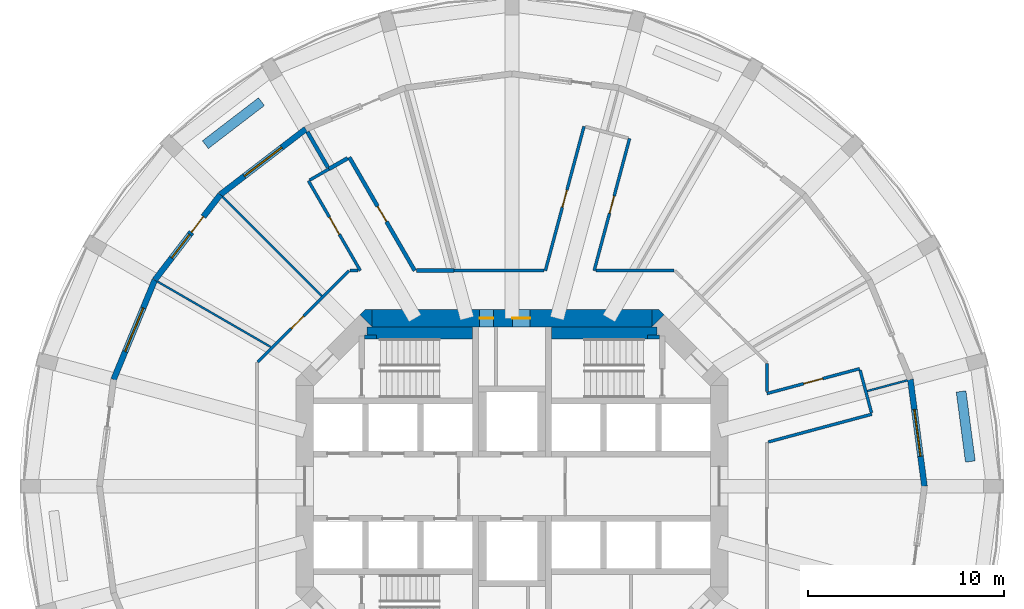
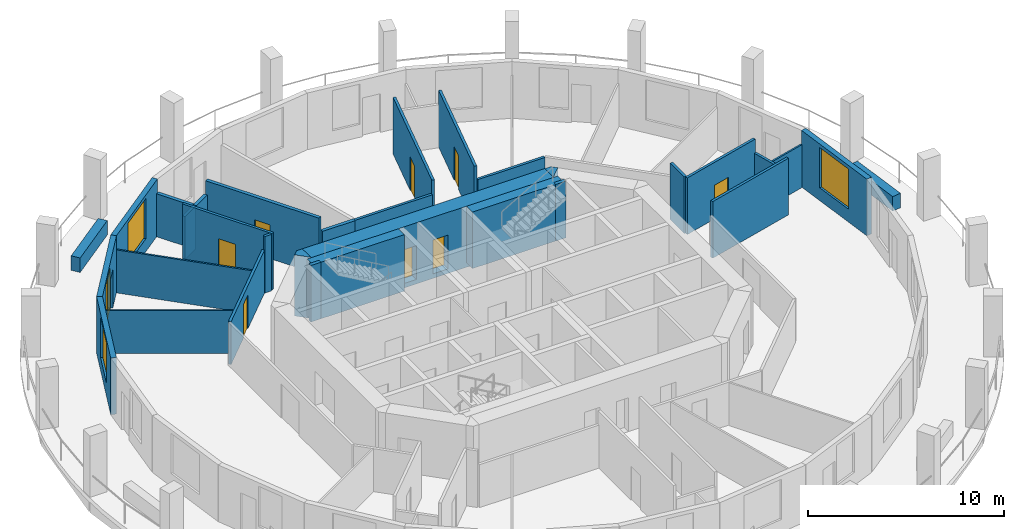
# One storey, part 5 of 8: 32 walls, 9 doors, 4 windows, 13 openings.
"""IFC4 building model written with IfcOpenShell, lengths in metres."""

from ifc_helpers import new_model, si_unit, direction, frame, frame_2d, origin, place, context, subcontext, project, spatial, polyline, rectangle, outline, extrude, material, layer, layer_set, type_object, element, fill, save


model = new_model("IFC4")

# Units and contexts
model_context = context("Model", 3, precision=1e-05, world=origin(), true_north=direction((0.0, 1.0)))
body_context = subcontext(model_context, "Body", "Model", "MODEL_VIEW")
ifc_project = project(units=[si_unit("LENGTHUNIT", "METRE"), si_unit("AREAUNIT", "SQUARE_METRE"), si_unit("VOLUMEUNIT", "CUBIC_METRE"), si_unit("PLANEANGLEUNIT", "RADIAN"), si_unit("MASSUNIT", "GRAM", prefix="KILO")], contexts=[model_context])

# Site, building, storey
site_placement = place(None, origin())
site = spatial("IfcSite", under=ifc_project, at=site_placement, CompositionType="ELEMENT")
building_placement = place(site_placement, origin())
building = spatial("IfcBuilding", under=site, at=building_placement, Name="Torre Triforio", CompositionType="ELEMENT")
storey_placement = place(building_placement, frame((0.0, 0.0, 131.39990234375)))
storey = spatial("IfcBuildingStorey", under=building, at=storey_placement, Name="L29", CompositionType="ELEMENT", Elevation=131.39990234375)

# Wall, openings, doors
ifc_material_1 = material(Name="Concrete C60", Category="concrete")
ifc_layer_1 = layer(ifc_material_1, 0.89990234375)
ifc_layer_set_1 = layer_set([ifc_layer_1], Name="Concrete C60")
wall_type_1 = type_object("IfcWallType", Name="Core wall 900 mm C60 EI 120", PredefinedType="SHEAR", material=ifc_layer_set_1)
wall_1_placement = place(storey_placement, frame((-7.1298828125, 8.550048828125, -0.27978515625), z_axis=(0.0, 0.0, 1.0), x_axis=(1.0, 0.0, 0.0)))
wall_1 = element("IfcWall", 1, at=wall_1_placement, inside=storey, type_object=wall_type_1, Name="Core wall", PredefinedType="SHEAR", context=body_context, shape_type="SweptSolid", body=[
    extrude(rectangle(XDim=14.259765625, YDim=0.89990234375, at=frame_2d((7.1298828125, 0.0))), origin(), (0.0, 0.0, 1.0), 3.7998046875),
])
opening_1_placement = place(wall_1_placement, frame((5.47998046875, 0.0, 0.280029296875)))
opening_1 = element("IfcOpeningElement", 2, at=opening_1_placement, cuts=wall_1, Name="Opening RISER-N", PredefinedType="OPENING", context=body_context, shape_type="SweptSolid", body=[
    extrude(rectangle(XDim=0.699951171875, YDim=2.10009765625, at=frame_2d((0.35009765625, 1.050048828125))), frame((0.0, 0.4599609375, 0.0), z_axis=(0.0, -1.0, 0.0), x_axis=(1.0, 0.0, 0.0)), (0.0, 0.0, 1.0), 0.919921875),
])
opening_2_placement = place(wall_1_placement, frame((7.155029296875, 0.0, 0.280029296875)))
opening_2 = element("IfcOpeningElement", 3, at=opening_2_placement, cuts=wall_1, Name="Opening NE-01", PredefinedType="OPENING", context=body_context, shape_type="SweptSolid", body=[
    extrude(rectangle(XDim=0.89990234375, YDim=2.10009765625, at=frame_2d((0.449951171875, 1.050048828125))), frame((0.0, 0.4599609375, 0.0), z_axis=(0.0, -1.0, 0.0), x_axis=(1.0, 0.0, 0.0)), (0.0, 0.0, 1.0), 0.919921875),
])
ifc_material_2 = material(Name="Hollow metal fire door leaf")
door_type_1 = type_object("IfcDoorType", Name="Riser door 700 x 2100 EI 60", OperationType="NOTDEFINED", PredefinedType="DOOR", material=ifc_material_2)
door_1_placement = place(opening_1_placement, origin())
door_1 = element("IfcDoor", 4, at=door_1_placement, inside=storey, type_object=door_type_1, Name="Core door RISER-N", OperationType="SINGLE_SWING_RIGHT", OverallHeight=2.10009765625, OverallWidth=0.699951171875, PredefinedType="DOOR", context=body_context, shape_type="SweptSolid", body=[
    extrude(rectangle(XDim=0.699951171875, YDim=2.10009765625, at=frame_2d((0.35009765625, 1.050048828125))), frame((0.0, 0.02490234375, 0.0), z_axis=(0.0, -1.0, 0.0), x_axis=(1.0, 0.0, 0.0)), (0.0, 0.0, 1.0), 0.050048828125),
])
fill(opening_1, door_1)
door_type_2 = type_object("IfcDoorType", Name="Room door 900 x 2100 EI 60", OperationType="NOTDEFINED", PredefinedType="DOOR", material=ifc_material_2)
door_2_placement = place(opening_2_placement, origin())
door_2 = element("IfcDoor", 5, at=door_2_placement, inside=storey, type_object=door_type_2, Name="Core door NE-01", OperationType="SINGLE_SWING_RIGHT", OverallHeight=2.10009765625, OverallWidth=0.89990234375, PredefinedType="DOOR", context=body_context, shape_type="SweptSolid", body=[
    extrude(rectangle(XDim=0.89990234375, YDim=2.10009765625, at=frame_2d((0.449951171875, 1.050048828125))), frame((0.0, 0.02490234375, 0.0), z_axis=(0.0, -1.0, 0.0), x_axis=(1.0, 0.0, 0.0)), (0.0, 0.0, 1.0), 0.050048828125),
])
fill(opening_2, door_2)

# Walls
wall_2_placement = place(storey_placement, frame((0.0, 0.0, -0.27978515625)))
element("IfcWall", 6, at=wall_2_placement, inside=storey, type_object=wall_type_1, Name="Core wall", PredefinedType="SHEAR", context=body_context, shape_type="SweptSolid", body=[
    extrude(outline(polyline([(-7.472900390625, 9.0), (-7.1298828125, 9.0), (-7.1298828125, 8.1298828125), (-7.736328125, 8.736328125), (-7.472900390625, 9.0)])), origin(), (0.0, 0.0, 1.0), 3.7998046875),
])
wall_3_placement = place(storey_placement, frame((0.0, 0.0, -0.27978515625)))
element("IfcWall", 7, at=wall_3_placement, inside=storey, type_object=wall_type_1, Name="Core wall", PredefinedType="SHEAR", context=body_context, shape_type="SweptSolid", body=[
    extrude(outline(polyline([(7.472900390625, 9.0), (7.736328125, 8.736328125), (7.1298828125, 8.1298828125), (7.1298828125, 9.0), (7.472900390625, 9.0)])), origin(), (0.0, 0.0, 1.0), 3.7998046875),
])

# Wall, opening, door
ifc_material_3 = material(Name="Plasterboard on metal studs")
ifc_layer_2 = layer(ifc_material_3, 0.14990234375)
ifc_layer_set_2 = layer_set([ifc_layer_2], Name="Plasterboard on metal studs")
wall_type_2 = type_object("IfcWallType", Name="Corridor and tenancy wall 150 mm EI 60", PredefinedType="PARTITIONING", material=ifc_layer_set_2)
wall_4_placement = place(storey_placement, frame((-12.93798828125, 6.327880859375, 0.0), z_axis=(0.0, 0.0, 1.0), x_axis=(0.707088206597, 0.707125355289, 0.0)))
wall_4 = element("IfcWall", 8, at=wall_4_placement, inside=storey, type_object=wall_type_2, Name="Partition 5", PredefinedType="PARTITIONING", context=body_context, shape_type="SweptSolid", body=[
    extrude(rectangle(XDim=6.572021484375, YDim=0.14990234375, at=frame_2d((3.2861328125, 0.0))), origin(), (0.0, 0.0, 1.0), 2.670166015625),
])
opening_3_placement = place(wall_4_placement, frame((2.39794921875, 0.0, 0.0)))
opening_3 = element("IfcOpeningElement", 9, at=opening_3_placement, cuts=wall_4, Name="Opening D2-15", PredefinedType="OPENING", context=body_context, shape_type="SweptSolid", body=[
    extrude(rectangle(XDim=0.89990234375, YDim=2.10009765625, at=frame_2d((0.449951171875, 1.050048828125))), frame((0.0, 0.0849609375, 0.0), z_axis=(0.0, -1.0, 0.0), x_axis=(1.0, 0.0, 0.0)), (0.0, 0.0, 1.0), 0.169921875),
])
ifc_material_4 = material(Name="Timber", Category="wood")
door_type_3 = type_object("IfcDoorType", Name="Door 900 x 2100 single leaf EI 30", OperationType="NOTDEFINED", PredefinedType="DOOR", material=ifc_material_4)
door_3_placement = place(opening_3_placement, origin())
door_3 = element("IfcDoor", 10, at=door_3_placement, inside=storey, type_object=door_type_3, Name="Door D2-15", OperationType="SINGLE_SWING_LEFT", OverallHeight=2.10009765625, OverallWidth=0.89990234375, PredefinedType="DOOR", context=body_context, shape_type="SweptSolid", body=[
    extrude(rectangle(XDim=0.89990234375, YDim=2.10009765625, at=frame_2d((0.449951171875, 1.050048828125))), frame((0.0, 0.02490234375, 0.0), z_axis=(0.0, -1.0, 0.0), x_axis=(1.0, 0.0, 0.0)), (0.0, 0.0, 1.0), 0.050048828125),
])
fill(opening_3, door_3)

# Wall
wall_5_placement = place(storey_placement, frame((-8.23828125, 10.97509765625, 0.0), z_axis=(0.0, 0.0, 1.0), x_axis=(1.0, 0.0, 0.0)))
element("IfcWall", 11, at=wall_5_placement, inside=storey, type_object=wall_type_2, Name="Partition 6", PredefinedType="PARTITIONING", context=body_context, shape_type="SweptSolid", body=[
    extrude(rectangle(XDim=0.38623046875, YDim=0.14990234375, at=frame_2d((0.193115234375, 0.0))), origin(), (0.0, 0.0, 1.0), 3.52001953125),
])

# Wall, opening, door
wall_6_placement = place(storey_placement, frame((-7.72216796875, 10.97509765625, 0.0), z_axis=(0.0, 0.0, 1.0), x_axis=(-0.499981143329, 0.866036290415, 0.0)))
wall_6 = element("IfcWall", 12, at=wall_6_placement, inside=storey, type_object=wall_type_2, Name="Partition 7", PredefinedType="PARTITIONING", context=body_context, shape_type="SweptSolid", body=[
    extrude(rectangle(XDim=5.282958984375, YDim=0.14990234375, at=frame_2d((2.6416015625, 0.0))), origin(), (0.0, 0.0, 1.0), 3.52001953125),
])
opening_4_placement = place(wall_6_placement, frame((2.1416015625, 0.0, 0.0)))
opening_4 = element("IfcOpeningElement", 13, at=opening_4_placement, cuts=wall_6, Name="Opening D2-14", PredefinedType="OPENING", context=body_context, shape_type="SweptSolid", body=[
    extrude(rectangle(XDim=1.0, YDim=2.10009765625, at=frame_2d((0.5, 1.050048828125))), frame((0.0, 0.0849609375, 0.0), z_axis=(0.0, -1.0, 0.0), x_axis=(1.0, 0.0, 0.0)), (0.0, 0.0, 1.0), 0.169921875),
])
door_type_4 = type_object("IfcDoorType", Name="Door 1000 x 2100 single leaf EI 30", OperationType="NOTDEFINED", PredefinedType="DOOR", material=ifc_material_4)
door_4_placement = place(opening_4_placement, origin())
door_4 = element("IfcDoor", 14, at=door_4_placement, inside=storey, type_object=door_type_4, Name="Door D2-14", OperationType="SINGLE_SWING_LEFT", OverallHeight=2.10009765625, OverallWidth=1.0, PredefinedType="DOOR", context=body_context, shape_type="SweptSolid", body=[
    extrude(rectangle(XDim=1.0, YDim=2.10009765625, at=frame_2d((0.5, 1.050048828125))), frame((0.0, 0.02490234375, 0.0), z_axis=(0.0, -1.0, 0.0), x_axis=(1.0, 0.0, 0.0)), (0.0, 0.0, 1.0), 0.050048828125),
])
fill(opening_4, door_4)

# Walls
wall_7_placement = place(storey_placement, frame((-10.298583984375, 15.587890625, 0.0), z_axis=(0.0, 0.0, 1.0), x_axis=(0.86599040064, 0.500060622324, 0.0)))
element("IfcWall", 15, at=wall_7_placement, inside=storey, type_object=wall_type_2, Name="Partition 8", PredefinedType="PARTITIONING", context=body_context, shape_type="SweptSolid", body=[
    extrude(rectangle(XDim=1.124755859375, YDim=0.14990234375, at=frame_2d((0.5625, 0.0))), origin(), (0.0, 0.0, 1.0), 2.670166015625),
])
wall_8_placement = place(storey_placement, frame((-2.940673828125, 10.97509765625, 0.0), z_axis=(0.0, 0.0, 1.0), x_axis=(1.0, 0.0, 0.0)))
element("IfcWall", 16, at=wall_8_placement, inside=storey, type_object=wall_type_2, Name="Partition 12", PredefinedType="PARTITIONING", context=body_context, shape_type="SweptSolid", body=[
    extrude(rectangle(XDim=4.566650390625, YDim=0.14990234375, at=frame_2d((2.283203125, 0.0))), origin(), (0.0, 0.0, 1.0), 2.670166015625),
])

# Wall, opening, door
wall_9_placement = place(storey_placement, frame((1.698486328125, 10.97509765625, 0.0), z_axis=(0.0, 0.0, 1.0), x_axis=(0.258810940308, 0.965927997926, 0.0)))
wall_9 = element("IfcWall", 17, at=wall_9_placement, inside=storey, type_object=wall_type_2, Name="Partition 13", PredefinedType="PARTITIONING", context=body_context, shape_type="SweptSolid", body=[
    extrude(rectangle(XDim=7.60791015625, YDim=0.14990234375, at=frame_2d((3.803955078125, 0.0))), origin(), (0.0, 0.0, 1.0), 3.52001953125),
])
opening_5_placement = place(wall_9_placement, frame((3.35400390625, 0.0, 0.0)))
opening_5 = element("IfcOpeningElement", 18, at=opening_5_placement, cuts=wall_9, Name="Opening D2-12", PredefinedType="OPENING", context=body_context, shape_type="SweptSolid", body=[
    extrude(rectangle(XDim=0.89990234375, YDim=2.10009765625, at=frame_2d((0.449951171875, 1.050048828125))), frame((0.0, 0.0849609375, 0.0), z_axis=(0.0, -1.0, 0.0), x_axis=(1.0, 0.0, 0.0)), (0.0, 0.0, 1.0), 0.169921875),
])
door_5_placement = place(opening_5_placement, origin())
door_5 = element("IfcDoor", 19, at=door_5_placement, inside=storey, type_object=door_type_3, Name="Door D2-12", OperationType="SINGLE_SWING_LEFT", OverallHeight=2.10009765625, OverallWidth=0.89990234375, PredefinedType="DOOR", context=body_context, shape_type="SweptSolid", body=[
    extrude(rectangle(XDim=0.89990234375, YDim=2.10009765625, at=frame_2d((0.449951171875, 1.050048828125))), frame((0.0, 0.02490234375, 0.0), z_axis=(0.0, -1.0, 0.0), x_axis=(1.0, 0.0, 0.0)), (0.0, 0.0, 1.0), 0.050048828125),
])
fill(opening_5, door_5)

wall_10_placement = place(storey_placement, frame((5.98583984375, 17.70263671875, 0.0), z_axis=(0.0, 0.0, 1.0), x_axis=(-0.258831867169, -0.965922390535, 0.0)))
wall_10 = element("IfcWall", 20, at=wall_10_placement, inside=storey, type_object=wall_type_2, Name="Partition 15", PredefinedType="PARTITIONING", context=body_context, shape_type="SweptSolid", body=[
    extrude(rectangle(XDim=6.96484375, YDim=0.14990234375, at=frame_2d((3.482421875, 0.0))), origin(), (0.0, 0.0, 1.0), 3.52001953125),
])
opening_6_placement = place(wall_10_placement, frame((3.032470703125, 0.0, 0.0)))
opening_6 = element("IfcOpeningElement", 21, at=opening_6_placement, cuts=wall_10, Name="Opening D2-11", PredefinedType="OPENING", context=body_context, shape_type="SweptSolid", body=[
    extrude(rectangle(XDim=0.89990234375, YDim=2.10009765625, at=frame_2d((0.449951171875, 1.050048828125))), frame((0.0, 0.0849609375, 0.0), z_axis=(0.0, -1.0, 0.0), x_axis=(1.0, 0.0, 0.0)), (0.0, 0.0, 1.0), 0.169921875),
])
door_6_placement = place(opening_6_placement, origin())
door_6 = element("IfcDoor", 22, at=door_6_placement, inside=storey, type_object=door_type_3, Name="Door D2-11", OperationType="SINGLE_SWING_LEFT", OverallHeight=2.10009765625, OverallWidth=0.89990234375, PredefinedType="DOOR", context=body_context, shape_type="SweptSolid", body=[
    extrude(rectangle(XDim=0.89990234375, YDim=2.10009765625, at=frame_2d((0.449951171875, 1.050048828125))), frame((0.0, 0.02490234375, 0.0), z_axis=(0.0, -1.0, 0.0), x_axis=(1.0, 0.0, 0.0)), (0.0, 0.0, 1.0), 0.050048828125),
])
fill(opening_6, door_6)

# Walls
wall_11_placement = place(storey_placement, frame((4.280517578125, 10.97509765625, 0.0), z_axis=(0.0, 0.0, 1.0), x_axis=(1.0, 0.0, 0.0)))
element("IfcWall", 23, at=wall_11_placement, inside=storey, type_object=wall_type_2, Name="Partition 16", PredefinedType="PARTITIONING", context=body_context, shape_type="SweptSolid", body=[
    extrude(rectangle(XDim=3.957763671875, YDim=0.14990234375, at=frame_2d((1.97900390625, 0.0))), origin(), (0.0, 0.0, 1.0), 2.670166015625),
])
wall_12_placement = place(storey_placement, frame((12.97509765625, 6.23828125, 0.0), z_axis=(0.0, 0.0, 1.0), x_axis=(0.0, -1.0, 0.0)))
element("IfcWall", 24, at=wall_12_placement, inside=storey, type_object=wall_type_2, Name="Partition 18", PredefinedType="PARTITIONING", context=body_context, shape_type="SweptSolid", body=[
    extrude(rectangle(XDim=1.421875, YDim=0.14990234375, at=frame_2d((0.7109375, 0.0))), origin(), (0.0, 0.0, 1.0), 3.52001953125),
])

# Wall, opening, door
wall_13_placement = place(storey_placement, frame((12.97509765625, 4.718994140625, 0.0), z_axis=(0.0, 0.0, 1.0), x_axis=(0.965920440817, 0.258839143121, 0.0)))
wall_13 = element("IfcWall", 25, at=wall_13_placement, inside=storey, type_object=wall_type_2, Name="Partition 19", PredefinedType="PARTITIONING", context=body_context, shape_type="SweptSolid", body=[
    extrude(rectangle(XDim=4.894287109375, YDim=0.14990234375, at=frame_2d((2.447265625, 0.0))), origin(), (0.0, 0.0, 1.0), 3.52001953125),
])
opening_7_placement = place(wall_13_placement, frame((1.947265625, 0.0, 0.0)))
opening_7 = element("IfcOpeningElement", 26, at=opening_7_placement, cuts=wall_13, Name="Opening D2-08", PredefinedType="OPENING", context=body_context, shape_type="SweptSolid", body=[
    extrude(rectangle(XDim=1.0, YDim=2.10009765625, at=frame_2d((0.5, 1.050048828125))), frame((0.0, 0.0849609375, 0.0), z_axis=(0.0, -1.0, 0.0), x_axis=(1.0, 0.0, 0.0)), (0.0, 0.0, 1.0), 0.169921875),
])
door_7_placement = place(opening_7_placement, origin())
door_7 = element("IfcDoor", 27, at=door_7_placement, inside=storey, type_object=door_type_4, Name="Door D2-08", OperationType="SINGLE_SWING_LEFT", OverallHeight=2.10009765625, OverallWidth=1.0, PredefinedType="DOOR", context=body_context, shape_type="SweptSolid", body=[
    extrude(rectangle(XDim=1.0, YDim=2.10009765625, at=frame_2d((0.5, 1.050048828125))), frame((0.0, 0.02490234375, 0.0), z_axis=(0.0, -1.0, 0.0), x_axis=(1.0, 0.0, 0.0)), (0.0, 0.0, 1.0), 0.050048828125),
])
fill(opening_7, door_7)

# Walls
wall_14_placement = place(storey_placement, frame((17.72216796875, 5.913330078125, 0.0), z_axis=(0.0, 0.0, 1.0), x_axis=(0.25879032241, -0.965933522054, 0.0)))
element("IfcWall", 28, at=wall_14_placement, inside=storey, type_object=wall_type_2, Name="Partition 20", PredefinedType="PARTITIONING", context=body_context, shape_type="SweptSolid", body=[
    extrude(rectangle(XDim=2.25, YDim=0.14990234375, at=frame_2d((1.125, 0.0))), origin(), (0.0, 0.0, 1.0), 2.670166015625),
])
wall_15_placement = place(storey_placement, frame((18.32373046875, 3.66748046875, 0.0), z_axis=(0.0, 0.0, 1.0), x_axis=(-0.965932498402, -0.258794143153, 0.0)))
element("IfcWall", 29, at=wall_15_placement, inside=storey, type_object=wall_type_2, Name="Partition 21", PredefinedType="PARTITIONING", context=body_context, shape_type="SweptSolid", body=[
    extrude(rectangle(XDim=5.465087890625, YDim=0.14990234375, at=frame_2d((2.732421875, 0.0))), origin(), (0.0, 0.0, 1.0), 3.52001953125),
])
ifc_layer_3 = layer(ifc_material_3, 0.10009765625)
ifc_layer_set_3 = layer_set([ifc_layer_3], Name="Plasterboard on metal studs")
wall_type_3 = type_object("IfcWallType", Name="Partition 100 mm board on metal studs", PredefinedType="PARTITIONING", material=ifc_layer_set_3)
wall_16_placement = place(storey_placement, frame((18.085693359375, 4.84619140625, 0.0), z_axis=(0.0, 0.0, 1.0), x_axis=(0.965956301772, 0.258705282257, 0.0)))
element("IfcWall", 30, at=wall_16_placement, inside=storey, type_object=wall_type_3, Name="Partition 31", PredefinedType="PARTITIONING", context=body_context, shape_type="SweptSolid", body=[
    extrude(rectangle(XDim=2.113037109375, YDim=0.10009765625, at=frame_2d((1.056640625, 0.0))), origin(), (0.0, 0.0, 1.0), 2.670166015625),
])
wall_17_placement = place(storey_placement, frame((-9.68603515625, 9.68603515625, 0.0), z_axis=(0.0, 0.0, 1.0), x_axis=(-0.707106781187, 0.707106781187, 0.0)))
element("IfcWall", 31, at=wall_17_placement, inside=storey, type_object=wall_type_3, Name="Partition 38", PredefinedType="PARTITIONING", context=body_context, shape_type="SweptSolid", body=[
    extrude(rectangle(XDim=7.138671875, YDim=0.10009765625, at=frame_2d((3.5693359375, 0.0))), origin(), (0.0, 0.0, 1.0), 2.670166015625),
])
wall_18_placement = place(storey_placement, frame((-12.294189453125, 7.097900390625, 0.0), z_axis=(0.0, 0.0, 1.0), x_axis=(-0.866010486135, 0.500025837236, 0.0)))
element("IfcWall", 32, at=wall_18_placement, inside=storey, type_object=wall_type_3, Name="Partition 39", PredefinedType="PARTITIONING", context=body_context, shape_type="SweptSolid", body=[
    extrude(rectangle(XDim=6.640869140625, YDim=0.10009765625, at=frame_2d((3.3203125, 0.0))), origin(), (0.0, 0.0, 1.0), 2.670166015625),
])
ifc_material_5 = material(Name="Masonry block", Category="masonry")
ifc_layer_4 = layer(ifc_material_5, 0.199951171875)
ifc_layer_set_4 = layer_set([ifc_layer_4], Name="Masonry block")
wall_type_4 = type_object("IfcWallType", Name="Plant room wall 200 mm block EI 120", PredefinedType="PARTITIONING", material=ifc_layer_set_4)
wall_19_placement = place(storey_placement, frame((-9.324462890625, 16.150390625, 0.0), z_axis=(0.0, 0.0, 1.0), x_axis=(0.866159722779, 0.499767280476, 0.0)))
element("IfcWall", 33, at=wall_19_placement, inside=storey, type_object=wall_type_4, Name="Partition 9", PredefinedType="PARTITIONING", context=body_context, shape_type="SweptSolid", body=[
    extrude(rectangle(XDim=1.10009765625, YDim=0.199951171875, at=frame_2d((0.550048828125, 0.0))), origin(), (0.0, 0.0, 1.0), 2.670166015625),
])

# Wall, opening, door
wall_20_placement = place(storey_placement, frame((-8.28515625, 16.750244140625, 0.0), z_axis=(0.0, 0.0, 1.0), x_axis=(0.500021399824, -0.866013048238, 0.0)))
wall_20 = element("IfcWall", 34, at=wall_20_placement, inside=storey, type_object=wall_type_4, Name="Partition 10", PredefinedType="PARTITIONING", context=body_context, shape_type="SweptSolid", body=[
    extrude(rectangle(XDim=6.668701171875, YDim=0.199951171875, at=frame_2d((3.33447265625, 0.0))), origin(), (0.0, 0.0, 1.0), 3.52001953125),
])
opening_8_placement = place(wall_20_placement, frame((2.88427734375, 0.0, 0.0)))
opening_8 = element("IfcOpeningElement", 35, at=opening_8_placement, cuts=wall_20, Name="Opening D2-13", PredefinedType="OPENING", context=body_context, shape_type="SweptSolid", body=[
    extrude(rectangle(XDim=0.89990234375, YDim=2.10009765625, at=frame_2d((0.449951171875, 1.050048828125))), frame((0.0, 0.10986328125, 0.0), z_axis=(0.0, -1.0, 0.0), x_axis=(1.0, 0.0, 0.0)), (0.0, 0.0, 1.0), 0.219970703125),
])
door_type_5 = type_object("IfcDoorType", Name="Door 900 x 2100 single leaf EI 60", OperationType="NOTDEFINED", PredefinedType="DOOR", material=ifc_material_2)
door_8_placement = place(opening_8_placement, origin())
door_8 = element("IfcDoor", 36, at=door_8_placement, inside=storey, type_object=door_type_5, Name="Door D2-13", OperationType="SINGLE_SWING_LEFT", OverallHeight=2.10009765625, OverallWidth=0.89990234375, PredefinedType="DOOR", context=body_context, shape_type="SweptSolid", body=[
    extrude(rectangle(XDim=0.89990234375, YDim=2.10009765625, at=frame_2d((0.449951171875, 1.050048828125))), frame((0.0, 0.02490234375, 0.0), z_axis=(0.0, -1.0, 0.0), x_axis=(1.0, 0.0, 0.0)), (0.0, 0.0, 1.0), 0.050048828125),
])
fill(opening_8, door_8)

# Walls
wall_21_placement = place(storey_placement, frame((-4.86328125, 10.97509765625, 0.0), z_axis=(0.0, 0.0, 1.0), x_axis=(1.0, 0.0, 0.0)))
element("IfcWall", 37, at=wall_21_placement, inside=storey, type_object=wall_type_4, Name="Partition 11", PredefinedType="PARTITIONING", context=body_context, shape_type="SweptSolid", body=[
    extrude(rectangle(XDim=1.922607421875, YDim=0.199951171875, at=frame_2d((0.96142578125, 0.0))), origin(), (0.0, 0.0, 1.0), 2.670166015625),
])
wall_22_placement = place(storey_placement, frame((-9.37451171875, 16.23681640625, 0.0), z_axis=(0.0, 0.0, 1.0), x_axis=(-0.499961989906, 0.86604734781, 0.0)))
element("IfcWall", 38, at=wall_22_placement, inside=storey, type_object=wall_type_4, Name="Partition 37", PredefinedType="PARTITIONING", context=body_context, shape_type="SweptSolid", body=[
    extrude(rectangle(XDim=2.088134765625, YDim=0.199951171875, at=frame_2d((1.0439453125, 0.0))), origin(), (0.0, 0.0, 1.0), 2.670166015625),
])
ifc_material_6 = material(Name="Limestone cladding", Category="masonry")
ifc_layer_5 = layer(ifc_material_6, 0.10009765625)
ifc_material_7 = material(Name="Concrete C40", Category="concrete")
ifc_layer_6 = layer(ifc_material_7, 0.39990234375)
ifc_layer_set_5 = layer_set([ifc_layer_5, ifc_layer_6], Name="Limestone cladding / Concrete C40")
wall_type_5 = type_object("IfcWallType", Name="Planter wall 500", PredefinedType="PARAPET", material=ifc_layer_set_5)
for number, where, z_axis, x_axis, name in (
    (39, (23.335693359375, 1.256591796875, 0.0), (0.0, 0.0, 1.0), (-0.130542222659, 0.991442750795, 0.0), "Planter L29 bay 01"),
    (40, (-12.756103515625, 19.580810546875, 0.0), (0.0, 0.0, 1.0), (-0.793384730612, -0.608720518162, 0.0), "Planter L29 bay 09"),
):
    element("IfcWall", number, at=place(storey_placement, frame(where, z_axis=z_axis, x_axis=x_axis)), inside=storey, type_object=wall_type_5, Name=name, PredefinedType="PARAPET", context=body_context, shape_type="SweptSolid", body=[
        extrude(rectangle(XDim=3.60009765625, YDim=0.5, at=frame_2d((1.800048828125, 0.0))), origin(), (0.0, 0.0, 1.0), 0.900146484375),
    ])
ifc_layer_7 = layer(ifc_material_1, 0.199951171875)
ifc_layer_set_6 = layer_set([ifc_layer_7], Name="Concrete C60")
wall_type_6 = type_object("IfcWallType", Name="Stair wall 200 mm C60 EI 120", PredefinedType="SHEAR", material=ifc_layer_set_6)
for number, where, z_axis, x_axis, name in (
    (41, (-7.5, 7.60009765625, 0.0), (0.0, 0.0, 1.0), (1.0, 0.0, 0.0), "Stair wall"),
    (42, (6.89990234375, 7.60009765625, 0.0), (0.0, 0.0, 1.0), (1.0, 0.0, 0.0), "Stair wall"),
):
    element("IfcWall", number, at=place(storey_placement, frame(where, z_axis=z_axis, x_axis=x_axis)), inside=storey, type_object=wall_type_6, Name=name, PredefinedType="SHEAR", context=body_context, shape_type="SweptSolid", body=[
        extrude(rectangle(XDim=0.60009765625, YDim=0.199951171875, at=frame_2d((0.300048828125, 0.0))), origin(), (0.0, 0.0, 1.0), 3.52001953125),
    ])
ifc_layer_8 = layer(ifc_material_1, 0.60009765625)
ifc_layer_set_7 = layer_set([ifc_layer_8], Name="Concrete C60")
wall_type_7 = type_object("IfcWallType", Name="Stair wall 600 mm C60 EI 120", PredefinedType="SHEAR", material=ifc_layer_set_7)
for number, where, z_axis, x_axis, name in (
    (43, (-7.3701171875, 7.800048828125, 0.0), (0.0, 0.0, 1.0), (1.0, 0.0, 0.0), "Stair wall"),
    (44, (2.0, 7.800048828125, 0.0), (0.0, 0.0, 1.0), (1.0, 0.0, 0.0), "Stair wall"),
):
    element("IfcWall", number, at=place(storey_placement, frame(where, z_axis=z_axis, x_axis=x_axis)), inside=storey, type_object=wall_type_7, Name=name, PredefinedType="SHEAR", context=body_context, shape_type="SweptSolid", body=[
        extrude(rectangle(XDim=5.3701171875, YDim=0.60009765625, at=frame_2d((2.68505859375, 0.0))), origin(), (0.0, 0.0, 1.0), 3.52001953125),
    ])

# Wall, opening, window
ifc_layer_9 = layer(ifc_material_6, 0.10009765625)
ifc_layer_10 = layer(ifc_material_7, 0.199951171875)
ifc_layer_set_8 = layer_set([ifc_layer_9, ifc_layer_10], Name="Limestone cladding / Concrete C40")
wall_type_8 = type_object("IfcWallType", Name="Stone-faced composite wall 300", PredefinedType="STANDARD", material=ifc_layer_set_8)
wall_23_placement = place(storey_placement, frame((21.0, 0.0, 0.0), z_axis=(0.0, 0.0, 1.0), x_axis=(-0.130527087244, 0.991444743541, 0.0)))
wall_23 = element("IfcWall", 45, at=wall_23_placement, inside=storey, type_object=wall_type_8, Name="External wall L29 bay 01", PredefinedType="STANDARD", context=body_context, shape_type="SweptSolid", body=[
    extrude(rectangle(XDim=5.482177734375, YDim=0.300048828125, at=frame_2d((2.7412109375, 0.0))), origin(), (0.0, 0.0, 1.0), 3.52001953125),
])
opening_9_placement = place(wall_23_placement, frame((1.541015625, 0.0, 0.800048828125)))
opening_9 = element("IfcOpeningElement", 46, at=opening_9_placement, cuts=wall_23, Name="Opening D2-W01", PredefinedType="OPENING", context=body_context, shape_type="SweptSolid", body=[
    extrude(rectangle(XDim=2.39990234375, YDim=2.5, at=frame_2d((1.199951171875, 1.25))), frame((0.0, 0.159912109375, 0.0), z_axis=(0.0, -1.0, 0.0), x_axis=(1.0, 0.0, 0.0)), (0.0, 0.0, 1.0), 0.320068359375),
])
ifc_material_8 = material(Name="Aluminium frame with clear double glazing", Category="aluminium")
window_type_1 = type_object("IfcWindowType", Name="Punched window 2400 x 2500", PartitioningType="DOUBLE_PANEL_VERTICAL", PredefinedType="WINDOW", material=ifc_material_8)
window_1_placement = place(opening_9_placement, origin())
window_1 = element("IfcWindow", 47, at=window_1_placement, inside=storey, type_object=window_type_1, Name="Window EWN3 L29 bay 01", OverallHeight=2.5, OverallWidth=2.39990234375, PartitioningType="SINGLE_PANEL", PredefinedType="WINDOW", context=body_context, shape_type="SweptSolid", body=[
    extrude(rectangle(XDim=2.39990234375, YDim=2.5, at=frame_2d((1.199951171875, 1.25))), frame((0.0, 0.030029296875, 0.0), z_axis=(0.0, -1.0, 0.0), x_axis=(1.0, 0.0, 0.0)), (0.0, 0.0, 1.0), 0.06005859375),
])
fill(opening_9, window_1)

wall_24_placement = place(storey_placement, frame((-10.5, 18.1865234375, 0.0), z_axis=(0.0, 0.0, 1.0), x_axis=(-0.793335336593, -0.608784891166, 0.0)))
wall_24 = element("IfcWall", 48, at=wall_24_placement, inside=storey, type_object=wall_type_8, Name="External wall L29 bay 09", PredefinedType="STANDARD", context=body_context, shape_type="SweptSolid", body=[
    extrude(rectangle(XDim=5.482177734375, YDim=0.300048828125, at=frame_2d((2.7412109375, 0.0))), origin(), (0.0, 0.0, 1.0), 3.52001953125),
])
opening_10_placement = place(wall_24_placement, frame((1.541015625, 0.0, 0.800048828125)))
opening_10 = element("IfcOpeningElement", 49, at=opening_10_placement, cuts=wall_24, Name="Opening D2-W09", PredefinedType="OPENING", context=body_context, shape_type="SweptSolid", body=[
    extrude(rectangle(XDim=2.39990234375, YDim=2.5, at=frame_2d((1.199951171875, 1.25))), frame((0.0, 0.159912109375, 0.0), z_axis=(0.0, -1.0, 0.0), x_axis=(1.0, 0.0, 0.0)), (0.0, 0.0, 1.0), 0.320068359375),
])
window_2_placement = place(opening_10_placement, origin())
window_2 = element("IfcWindow", 50, at=window_2_placement, inside=storey, type_object=window_type_1, Name="Window EWN3 L29 bay 09", OverallHeight=2.5, OverallWidth=2.39990234375, PartitioningType="SINGLE_PANEL", PredefinedType="WINDOW", context=body_context, shape_type="SweptSolid", body=[
    extrude(rectangle(XDim=2.39990234375, YDim=2.5, at=frame_2d((1.199951171875, 1.25))), frame((0.0, 0.030029296875, 0.0), z_axis=(0.0, -1.0, 0.0), x_axis=(1.0, 0.0, 0.0)), (0.0, 0.0, 1.0), 0.06005859375),
])
fill(opening_10, window_2)

# Wall, openings, door, window
wall_25_placement = place(storey_placement, frame((-14.84912109375, 14.84912109375, 0.0), z_axis=(0.0, 0.0, 1.0), x_axis=(-0.608784891166, -0.793335336593, 0.0)))
wall_25 = element("IfcWall", 51, at=wall_25_placement, inside=storey, type_object=wall_type_8, Name="External wall L29 bay 10", PredefinedType="STANDARD", context=body_context, shape_type="SweptSolid", body=[
    extrude(rectangle(XDim=5.482177734375, YDim=0.300048828125, at=frame_2d((2.7412109375, 0.0))), origin(), (0.0, 0.0, 1.0), 3.52001953125),
])
opening_11_placement = place(wall_25_placement, frame((1.416015625, 0.0, 0.0)))
opening_11 = element("IfcOpeningElement", 52, at=opening_11_placement, cuts=wall_25, Name="Opening D2-D10", PredefinedType="OPENING", context=body_context, shape_type="SweptSolid", body=[
    extrude(rectangle(XDim=1.0, YDim=2.39990234375, at=frame_2d((0.5, 1.199951171875))), frame((0.0, 0.159912109375, 0.0), z_axis=(0.0, -1.0, 0.0), x_axis=(1.0, 0.0, 0.0)), (0.0, 0.0, 1.0), 0.320068359375),
])
opening_12_placement = place(wall_25_placement, frame((2.56591796875, 0.0, 0.800048828125)))
opening_12 = element("IfcOpeningElement", 53, at=opening_12_placement, cuts=wall_25, Name="Opening D2-W10A", PredefinedType="OPENING", context=body_context, shape_type="SweptSolid", body=[
    extrude(rectangle(XDim=1.5, YDim=2.5, at=frame_2d((0.75, 1.25))), frame((0.0, 0.159912109375, 0.0), z_axis=(0.0, -1.0, 0.0), x_axis=(1.0, 0.0, 0.0)), (0.0, 0.0, 1.0), 0.320068359375),
])
door_type_6 = type_object("IfcDoorType", Name="Loggia door 1000 x 2400", OperationType="NOTDEFINED", PredefinedType="DOOR", material=ifc_material_8)
door_9_placement = place(opening_11_placement, origin())
door_9 = element("IfcDoor", 54, at=door_9_placement, inside=storey, type_object=door_type_6, Name="Loggia door L29 bay 10", OperationType="SINGLE_SWING_LEFT", OverallHeight=2.39990234375, OverallWidth=1.0, PredefinedType="DOOR", context=body_context, shape_type="SweptSolid", body=[
    extrude(rectangle(XDim=1.0, YDim=2.39990234375, at=frame_2d((0.5, 1.199951171875))), frame((0.0, 0.02490234375, 0.0), z_axis=(0.0, -1.0, 0.0), x_axis=(1.0, 0.0, 0.0)), (0.0, 0.0, 1.0), 0.050048828125),
])
fill(opening_11, door_9)
window_type_2 = type_object("IfcWindowType", Name="Side window 1500 x 2500", PartitioningType="SINGLE_PANEL", PredefinedType="WINDOW", material=ifc_material_8)
window_3_placement = place(opening_12_placement, origin())
window_3 = element("IfcWindow", 55, at=window_3_placement, inside=storey, type_object=window_type_2, Name="Side window EWN13 L29 bay 10", OverallHeight=2.5, OverallWidth=1.5, PartitioningType="SINGLE_PANEL", PredefinedType="WINDOW", context=body_context, shape_type="SweptSolid", body=[
    extrude(rectangle(XDim=1.5, YDim=2.5, at=frame_2d((0.75, 1.25))), frame((0.0, 0.030029296875, 0.0), z_axis=(0.0, -1.0, 0.0), x_axis=(1.0, 0.0, 0.0)), (0.0, 0.0, 1.0), 0.06005859375),
])
fill(opening_12, window_3)

# Wall, opening, window
wall_26_placement = place(storey_placement, frame((-18.1865234375, 10.5, 0.0), z_axis=(0.0, 0.0, 1.0), x_axis=(-0.382688740813, -0.923877333662, 0.0)))
wall_26 = element("IfcWall", 56, at=wall_26_placement, inside=storey, type_object=wall_type_8, Name="External wall L29 bay 11", PredefinedType="STANDARD", context=body_context, shape_type="SweptSolid", body=[
    extrude(rectangle(XDim=5.48193359375, YDim=0.300048828125, at=frame_2d((2.740966796875, 0.0))), origin(), (0.0, 0.0, 1.0), 3.52001953125),
])
opening_13_placement = place(wall_26_placement, frame((1.541015625, 0.0, 0.800048828125)))
opening_13 = element("IfcOpeningElement", 57, at=opening_13_placement, cuts=wall_26, Name="Opening D2-W11", PredefinedType="OPENING", context=body_context, shape_type="SweptSolid", body=[
    extrude(rectangle(XDim=2.39990234375, YDim=2.5, at=frame_2d((1.199951171875, 1.25))), frame((0.0, 0.159912109375, 0.0), z_axis=(0.0, -1.0, 0.0), x_axis=(1.0, 0.0, 0.0)), (0.0, 0.0, 1.0), 0.320068359375),
])
window_4_placement = place(opening_13_placement, origin())
window_4 = element("IfcWindow", 58, at=window_4_placement, inside=storey, type_object=window_type_1, Name="Window EWN3 L29 bay 11", OverallHeight=2.5, OverallWidth=2.39990234375, PartitioningType="SINGLE_PANEL", PredefinedType="WINDOW", context=body_context, shape_type="SweptSolid", body=[
    extrude(rectangle(XDim=2.39990234375, YDim=2.5, at=frame_2d((1.199951171875, 1.25))), frame((0.0, 0.030029296875, 0.0), z_axis=(0.0, -1.0, 0.0), x_axis=(1.0, 0.0, 0.0)), (0.0, 0.0, 1.0), 0.06005859375),
])
fill(opening_13, window_4)

save(model, "model.ifc")
